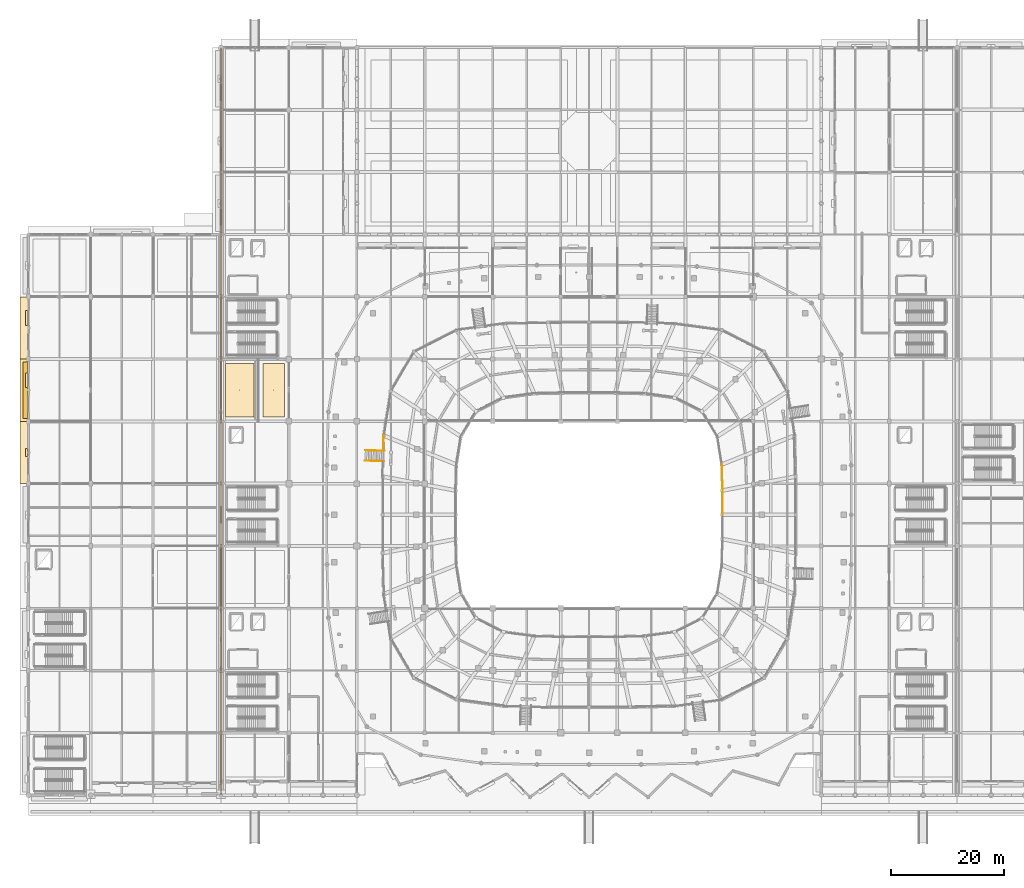
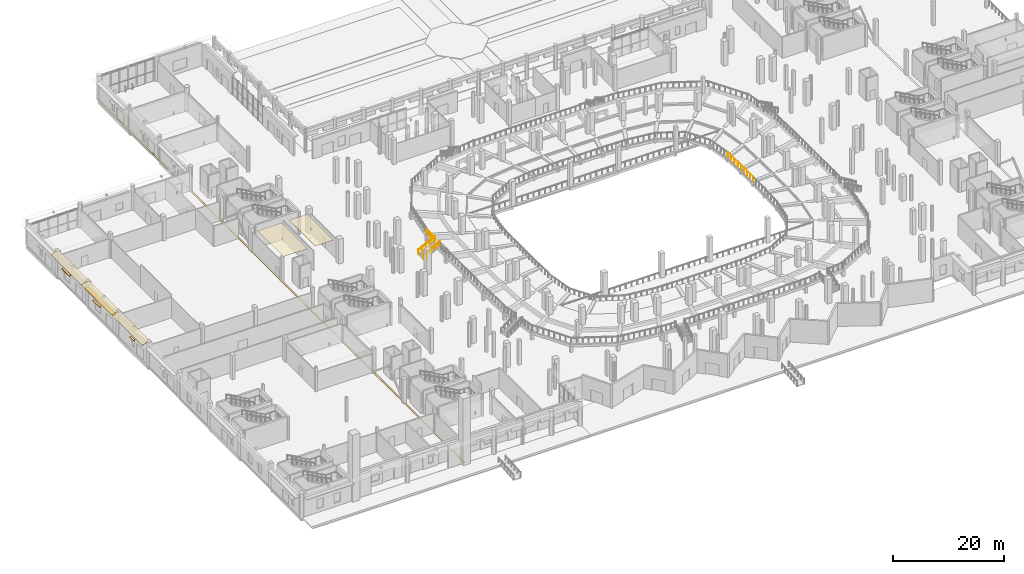
# One storey, part 103 of 120: 9 coverings, 7 railings, 1 shading device.
"""IFC4 building model written with IfcOpenShell, lengths in metres."""

from ifc_helpers import new_model, si_unit, direction, frame, origin, origin_2d, place, context, subcontext, project, spatial, polyline, rectangle, circle, outline, extrude, material, layer, layer_set, type_object, element, save


model = new_model("IFC4")

# Units and contexts
model_context = context("Model", 3, precision=1e-05, world=origin(), true_north=direction((0.0, 1.0)))
body_context = subcontext(model_context, "Body", "Model", "MODEL_VIEW")
ifc_project = project(units=[si_unit("LENGTHUNIT", "METRE"), si_unit("AREAUNIT", "SQUARE_METRE"), si_unit("VOLUMEUNIT", "CUBIC_METRE"), si_unit("PLANEANGLEUNIT", "RADIAN"), si_unit("MASSUNIT", "GRAM", prefix="KILO")], contexts=[model_context])

# Site, building, storey
site_placement = place(None, origin())
site = spatial("IfcSite", under=ifc_project, at=site_placement, CompositionType="ELEMENT")
building_placement = place(site_placement, origin())
building = spatial("IfcBuilding", under=site, at=building_placement, Name="Luwafu Chhajja Arena", CompositionType="ELEMENT")
storey_placement = place(building_placement, origin())
storey = spatial("IfcBuildingStorey", under=building, at=storey_placement, Name="L00", CompositionType="ELEMENT", Elevation=0.0)

# Railings
ifc_material_1 = material(Name="Stainless steel balustrade", Category="steel")
railing_type_1 = type_object("IfcRailingType", Name="Atrium Void Glazed Balustrade 1150", PredefinedType="BALUSTRADE", material=ifc_material_1)
railing_1_placement = place(storey_placement, frame((59.441162109375, 59.04931640625, 0.0)))
element("IfcRailing", 1, at=railing_1_placement, inside=storey, type_object=railing_type_1, Name="L00 Vomitory VM-04 Guard L", PredefinedType="BALUSTRADE", context=body_context, shape_type="SweptSolid", body=[
    extrude(circle(Radius=0.02392578125, at=origin_2d()), frame((0.0, 0.0, 1.1259765625), z_axis=(0.86159056591, -0.023953515772, 0.507038386927), x_axis=(0.027790768564, 0.999613762001, 0.0)), (0.0, 0.0, 1.0), 3.64892578125),
    extrude(circle(Radius=0.02392578125, at=origin_2d()), frame((3.143798828125, -0.08740234375, 2.97607421875), z_axis=(0.999599221014, -0.028308962314, 0.0), x_axis=(0.028308962314, 0.999599221014, 0.0)), (0.0, 0.0, 1.0), 0.25),
    extrude(circle(Radius=0.02099609375, at=origin_2d()), origin(), (0.0, 0.0, 1.0), 1.101806640625),
    extrude(circle(Radius=0.02099609375, at=origin_2d()), frame((0.785888671875, -0.02197265625, 0.46240234375)), (0.0, 0.0, 1.0), 1.101806640625),
    extrude(circle(Radius=0.02099609375, at=origin_2d()), frame((1.57177734375, -0.043701171875, 0.925048828125)), (0.0, 0.0, 1.0), 1.101806640625),
    extrude(circle(Radius=0.02099609375, at=origin_2d()), frame((2.35791015625, -0.0654296875, 1.3876953125)), (0.0, 0.0, 1.0), 1.101806640625),
    extrude(circle(Radius=0.02099609375, at=origin_2d()), frame((3.143798828125, -0.08740234375, 1.85009765625)), (0.0, 0.0, 1.0), 1.101806640625),
    extrude(circle(Radius=0.02099609375, at=origin_2d()), frame((3.393798828125, -0.094482421875, 1.85009765625)), (0.0, 0.0, 1.0), 1.101806640625),
])
railing_2_placement = place(storey_placement, frame((59.492431640625, 60.888671875, 0.0)))
element("IfcRailing", 2, at=railing_2_placement, inside=storey, type_object=railing_type_1, Name="L00 Vomitory VM-04 Guard R", PredefinedType="BALUSTRADE", context=body_context, shape_type="SweptSolid", body=[
    extrude(circle(Radius=0.02392578125, at=origin_2d()), frame((0.0, 0.0, 1.1259765625), z_axis=(0.861589183103, -0.024020386482, 0.507037573158), x_axis=(0.027868336204, 0.999611602492, 0.0)), (0.0, 0.0, 1.0), 3.64892578125),
    extrude(circle(Radius=0.02392578125, at=origin_2d()), frame((3.143798828125, -0.087646484375, 2.97607421875), z_axis=(0.999625638765, -0.027360232537, 0.0), x_axis=(0.027360232537, 0.999625638765, 0.0)), (0.0, 0.0, 1.0), 0.249755859375),
    extrude(circle(Radius=0.02099609375, at=origin_2d()), origin(), (0.0, 0.0, 1.0), 1.101806640625),
    extrude(circle(Radius=0.02099609375, at=origin_2d()), frame((0.785888671875, -0.02197265625, 0.46240234375)), (0.0, 0.0, 1.0), 1.101806640625),
    extrude(circle(Radius=0.02099609375, at=origin_2d()), frame((1.57177734375, -0.0439453125, 0.925048828125)), (0.0, 0.0, 1.0), 1.101806640625),
    extrude(circle(Radius=0.02099609375, at=origin_2d()), frame((2.35791015625, -0.065673828125, 1.3876953125)), (0.0, 0.0, 1.0), 1.101806640625),
    extrude(circle(Radius=0.02099609375, at=origin_2d()), frame((3.143798828125, -0.087646484375, 1.85009765625)), (0.0, 0.0, 1.0), 1.101806640625),
    extrude(circle(Radius=0.02099609375, at=origin_2d()), frame((3.3935546875, -0.094482421875, 1.85009765625)), (0.0, 0.0, 1.0), 1.101806640625),
])
railing_3_placement = place(storey_placement, frame((62.63623046875, 60.801025390625, 1.85009765625)))
element("IfcRailing", 3, at=railing_3_placement, inside=storey, type_object=railing_type_1, Name="L00 Vomitory VM-04 Wing Guard R", PredefinedType="BALUSTRADE", context=body_context, shape_type="SweptSolid", body=[
    extrude(circle(Radius=0.02392578125, at=origin_2d()), frame((0.0, 0.0, 1.1259765625), z_axis=(0.027741985259, 0.99961511706, 0.0), x_axis=(-0.99961511706, 0.027741985259, 0.0)), (0.0, 0.0, 1.0), 2.70166015625),
    extrude(circle(Radius=0.02099609375, at=origin_2d()), origin(), (0.0, 0.0, 1.0), 1.101806640625),
    extrude(circle(Radius=0.02099609375, at=origin_2d()), frame((0.02490234375, 0.900146484375, 0.0)), (0.0, 0.0, 1.0), 1.101806640625),
    extrude(circle(Radius=0.02099609375, at=origin_2d()), frame((0.050048828125, 1.800537109375, 0.0)), (0.0, 0.0, 1.0), 1.101806640625),
    extrude(circle(Radius=0.02099609375, at=origin_2d()), frame((0.074951171875, 2.70068359375, 0.0)), (0.0, 0.0, 1.0), 1.101806640625),
])

# Coverings
ifc_material_2 = material(Name="Red laterite sandstone cladding", Category="masonry")
ifc_layer_1 = layer(ifc_material_2, 0.074951171875, Name="Red laterite sandstone cladding")
ifc_layer_set_1 = layer_set([ifc_layer_1], Name="Red laterite sandstone cladding")
covering_type_1 = type_object("IfcCoveringType", Name="Dressed Red-Laterite Sandstone Cladding", PredefinedType="CLADDING", material=ifc_layer_set_1)
covering_1_placement = place(storey_placement, frame((34.0, 66.0, -0.02392578125), z_axis=(0.0, 0.0, 1.0), x_axis=(1.0, 0.0, 0.0)))
element("IfcCovering", 4, at=covering_1_placement, inside=storey, type_object=covering_type_1, Name="L00 Movement Joint MJ01 Flush Threshold Cover Plate 01", PredefinedType="CLADDING", context=body_context, shape_type="SweptSolid", body=[
    extrude(rectangle(XDim=0.320068359375, YDim=131.800048828125, at=origin_2d()), origin(), (0.0, 0.0, 1.0), 0.02392578125),
])
for number, where, z_axis, x_axis, name in (
    (5, (0.199951171875, 55.0, 5.360107421875), (-0.242635142566, 0.0, 0.970117615339), (0.0, 1.0, 0.0), "L00 Continuous Sloped Sandstone Chhajja Eave 0007"),
    (6, (0.199951171875, 66.0, 5.360107421875), (-0.242635142566, 0.0, 0.970117615339), (0.0, 1.0, 0.0), "L00 Continuous Sloped Sandstone Chhajja Eave 0008"),
    (7, (0.199951171875, 77.0, 5.360107421875), (-0.242635142566, 0.0, 0.970117615339), (0.0, 1.0, 0.0), "L00 Continuous Sloped Sandstone Chhajja Eave 0009"),
):
    element("IfcCovering", number, at=place(storey_placement, frame(where, z_axis=z_axis, x_axis=x_axis)), inside=storey, type_object=covering_type_1, Name=name, PredefinedType="CLADDING", context=body_context, shape_type="SweptSolid", body=[
        extrude(outline(polyline([(0.0, 0.0), (11.0, 0.0), (11.0, 1.7316783182390405), (0.0, 1.7316783182390405), (0.0, 0.0)])), origin(), (0.0, 0.0, -1.0), 0.1298828125),
    ])
covering_2_placement = place(storey_placement, frame((-0.340087890625, 60.5, 2.6298828125), z_axis=(0.0, 0.0, 1.0), x_axis=(0.0, 1.0, 0.0)))
element("IfcCovering", 8, at=covering_2_placement, inside=storey, type_object=covering_type_1, Name="L00 Mughal Sandstone Window Chhajja Hood 0146", PredefinedType="CLADDING", context=body_context, shape_type="SweptSolid", body=[
    extrude(rectangle(XDim=1.39990234375, YDim=0.419921875, at=origin_2d()), origin(), (0.0, 0.0, 1.0), 0.139892578125),
])
covering_3_placement = place(storey_placement, frame((-0.340087890625, 73.260009765625, 2.580078125), z_axis=(0.0, 0.0, 1.0), x_axis=(0.0, 1.0, 0.0)))
element("IfcCovering", 9, at=covering_3_placement, inside=storey, type_object=covering_type_1, Name="L00 Mughal Sandstone Window Chhajja Hood 0147", PredefinedType="CLADDING", context=body_context, shape_type="SweptSolid", body=[
    extrude(rectangle(XDim=2.5, YDim=0.419921875, at=origin_2d()), origin(), (0.0, 0.0, 1.0), 0.139892578125),
])
covering_4_placement = place(storey_placement, frame((-0.340087890625, 84.260009765625, 2.830078125), z_axis=(0.0, 0.0, 1.0), x_axis=(0.0, 1.0, 0.0)))
element("IfcCovering", 10, at=covering_4_placement, inside=storey, type_object=covering_type_1, Name="L00 Mughal Sandstone Window Chhajja Hood 0148", PredefinedType="CLADDING", context=body_context, shape_type="SweptSolid", body=[
    extrude(rectangle(XDim=2.699951171875, YDim=0.419921875, at=origin_2d()), origin(), (0.0, 0.0, 1.0), 0.139892578125),
])
ifc_material_3 = material(Name="Acoustic gypsum ceiling board")
ifc_layer_2 = layer(ifc_material_3, 0.0400390625, Name="Acoustic gypsum ceiling board")
ifc_layer_set_2 = layer_set([ifc_layer_2], Name="Acoustic gypsum ceiling board")
covering_type_2 = type_object("IfcCoveringType", Name="Perforated Acoustic Baffle Ceiling", PredefinedType="CEILING", material=ifc_layer_set_2)
covering_5_placement = place(storey_placement, frame((0.0, 0.0, 4.575927734375)))
element("IfcCovering", 11, at=covering_5_placement, inside=storey, type_object=covering_type_2, Name="L00 Acoustic Baffle Ceiling 006", PredefinedType="CEILING", context=body_context, shape_type="SweptSolid", body=[
    extrude(outline(polyline([(34.800048828125, 66.800048828125), (39.800048828125, 66.800048828125), (39.800048828125, 76.199951171875), (34.800048828125, 76.199951171875), (34.800048828125, 66.800048828125)])), origin(), (0.0, 0.0, 1.0), 0.0400390625),
])
covering_6_placement = place(storey_placement, frame((0.0, 0.0, 4.575927734375)))
element("IfcCovering", 12, at=covering_6_placement, inside=storey, type_object=covering_type_2, Name="L00 Acoustic Baffle Ceiling 007", PredefinedType="CEILING", context=body_context, shape_type="SweptSolid", body=[
    extrude(outline(polyline([(41.39990234375, 66.800048828125), (45.199951171875, 66.800048828125), (45.199951171875, 76.199951171875), (41.39990234375, 76.199951171875), (41.39990234375, 66.800048828125)])), origin(), (0.0, 0.0, 1.0), 0.0400390625),
])

# Railings
railing_type_2 = type_object("IfcRailingType", Name="Seating Bowl Sightline Barrier 1100", PredefinedType="BALUSTRADE", material=ifc_material_1)
railing_4_placement = place(storey_placement, frame((122.60009765625, 49.5, 0.85009765625)))
element("IfcRailing", 13, at=railing_4_placement, inside=storey, type_object=railing_type_2, Name="L00 Lower Tier Front Barrier 0048", PredefinedType="BALUSTRADE", context=body_context, shape_type="SweptSolid", body=[
    extrude(circle(Radius=0.02392578125, at=origin_2d()), frame((0.0, 0.0, 1.09619140625), z_axis=(-0.001534612266, 0.999998822482, 0.0), x_axis=(-0.999998822482, -0.001534612266, 0.0)), (0.0, 0.0, 1.0), 4.29541015625),
    extrude(circle(Radius=0.02099609375, at=origin_2d()), origin(), (0.0, 0.0, 1.0), 1.072021484375),
    extrude(circle(Radius=0.02099609375, at=origin_2d()), frame((-0.001708984375, 1.07373046875, 0.0)), (0.0, 0.0, 1.0), 1.072021484375),
    extrude(circle(Radius=0.02099609375, at=origin_2d()), frame((-0.00341796875, 2.147705078125, 0.0)), (0.0, 0.0, 1.0), 1.072021484375),
    extrude(circle(Radius=0.02099609375, at=origin_2d()), frame((-0.0048828125, 3.2216796875, 0.0)), (0.0, 0.0, 1.0), 1.072021484375),
    extrude(circle(Radius=0.02099609375, at=origin_2d()), frame((-0.006591796875, 4.29541015625, 0.0)), (0.0, 0.0, 1.0), 1.072021484375),
])
railing_5_placement = place(storey_placement, frame((122.593505859375, 53.79541015625, 0.85009765625)))
element("IfcRailing", 14, at=railing_5_placement, inside=storey, type_object=railing_type_2, Name="L00 Lower Tier Front Barrier 0052", PredefinedType="BALUSTRADE", context=body_context, shape_type="SweptSolid", body=[
    extrude(circle(Radius=0.02392578125, at=origin_2d()), frame((0.0, 0.0, 1.09619140625), z_axis=(-0.028278055892, 0.999600095816, 0.0), x_axis=(-0.999600095816, -0.028278055892, 0.0)), (0.0, 0.0, 1.0), 4.601806640625),
    extrude(circle(Radius=0.02099609375, at=origin_2d()), origin(), (0.0, 0.0, 1.0), 1.072021484375),
    extrude(circle(Radius=0.02099609375, at=origin_2d()), frame((-0.032470703125, 1.14990234375, 0.0)), (0.0, 0.0, 1.0), 1.072021484375),
    extrude(circle(Radius=0.02099609375, at=origin_2d()), frame((-0.06494140625, 2.2998046875, 0.0)), (0.0, 0.0, 1.0), 1.072021484375),
    extrude(circle(Radius=0.02099609375, at=origin_2d()), frame((-0.09765625, 3.449951171875, 0.0)), (0.0, 0.0, 1.0), 1.072021484375),
    extrude(circle(Radius=0.02099609375, at=origin_2d()), frame((-0.130126953125, 4.599853515625, 0.0)), (0.0, 0.0, 1.0), 1.072021484375),
])

# Shading device
ifc_material_4 = material(Name="Red laterite sandstone chhajja", Category="masonry")
ifc_layer_3 = layer(ifc_material_4, 0.1201171875, Name="Red laterite sandstone chhajja")
ifc_layer_set_3 = layer_set([ifc_layer_3], Name="Red laterite sandstone chhajja")
shading_device_type = type_object("IfcShadingDeviceType", Name="Sloped Red-Sandstone Chhajja Eave", PredefinedType="USERDEFINED", material=ifc_layer_set_3)
shading_device_placement = place(storey_placement, frame((-0.5400390625, 71.5, 4.22998046875), z_axis=(0.0, 0.0, 1.0), x_axis=(0.0, 1.0, 0.0)))
element("IfcShadingDevice", 15, at=shading_device_placement, inside=storey, type_object=shading_device_type, Name="L00 Sloped Red-Sandstone Chhajja Eave 005", ObjectType="CHHAJJA", PredefinedType="USERDEFINED", context=body_context, shape_type="SweptSolid", body=[
    extrude(rectangle(XDim=9.9599609375, YDim=0.820068359375, at=origin_2d()), origin(), (0.0, 0.0, 1.0), 0.1201171875),
])

# Railings
ifc_material_5 = material(Name="Stainless steel handrail", Category="steel")
railing_type_3 = type_object("IfcRailingType", Name="Stair Pitch Wall Handrail 920", PredefinedType="HANDRAIL", material=ifc_material_5)
railing_6_placement = place(storey_placement, frame((59.441162109375, 59.04931640625, 0.0)))
element("IfcRailing", 16, at=railing_6_placement, inside=storey, type_object=railing_type_3, Name="L00 Vomitory VM-04 Handrail L", PredefinedType="HANDRAIL", context=body_context, shape_type="SweptSolid", body=[
    extrude(circle(Radius=0.02392578125, at=origin_2d()), frame((0.0, 0.0, 0.89599609375), z_axis=(0.86159056591, -0.023953515772, 0.507038386927), x_axis=(0.027790768564, 0.999613762001, 0.0)), (0.0, 0.0, 1.0), 3.64892578125),
    extrude(circle(Radius=0.02099609375, at=origin_2d()), origin(), (0.0, 0.0, 1.0), 0.871826171875),
    extrude(circle(Radius=0.02099609375, at=origin_2d()), frame((0.785888671875, -0.02197265625, 0.46240234375)), (0.0, 0.0, 1.0), 0.871826171875),
    extrude(circle(Radius=0.02099609375, at=origin_2d()), frame((1.57177734375, -0.043701171875, 0.925048828125)), (0.0, 0.0, 1.0), 0.871826171875),
    extrude(circle(Radius=0.02099609375, at=origin_2d()), frame((2.35791015625, -0.0654296875, 1.3876953125)), (0.0, 0.0, 1.0), 0.871826171875),
    extrude(circle(Radius=0.02099609375, at=origin_2d()), frame((3.143798828125, -0.08740234375, 1.85009765625)), (0.0, 0.0, 1.0), 0.871826171875),
])
railing_7_placement = place(storey_placement, frame((59.492431640625, 60.888671875, 0.0)))
element("IfcRailing", 17, at=railing_7_placement, inside=storey, type_object=railing_type_3, Name="L00 Vomitory VM-04 Handrail R", PredefinedType="HANDRAIL", context=body_context, shape_type="SweptSolid", body=[
    extrude(circle(Radius=0.02392578125, at=origin_2d()), frame((0.0, 0.0, 0.89599609375), z_axis=(0.861589183103, -0.024020386482, 0.507037573158), x_axis=(0.027868336204, 0.999611602492, 0.0)), (0.0, 0.0, 1.0), 3.64892578125),
    extrude(circle(Radius=0.02099609375, at=origin_2d()), origin(), (0.0, 0.0, 1.0), 0.871826171875),
    extrude(circle(Radius=0.02099609375, at=origin_2d()), frame((0.785888671875, -0.02197265625, 0.46240234375)), (0.0, 0.0, 1.0), 0.871826171875),
    extrude(circle(Radius=0.02099609375, at=origin_2d()), frame((1.57177734375, -0.0439453125, 0.925048828125)), (0.0, 0.0, 1.0), 0.871826171875),
    extrude(circle(Radius=0.02099609375, at=origin_2d()), frame((2.35791015625, -0.065673828125, 1.3876953125)), (0.0, 0.0, 1.0), 0.871826171875),
    extrude(circle(Radius=0.02099609375, at=origin_2d()), frame((3.143798828125, -0.087646484375, 1.85009765625)), (0.0, 0.0, 1.0), 0.871826171875),
])

save(model, "model.ifc")
